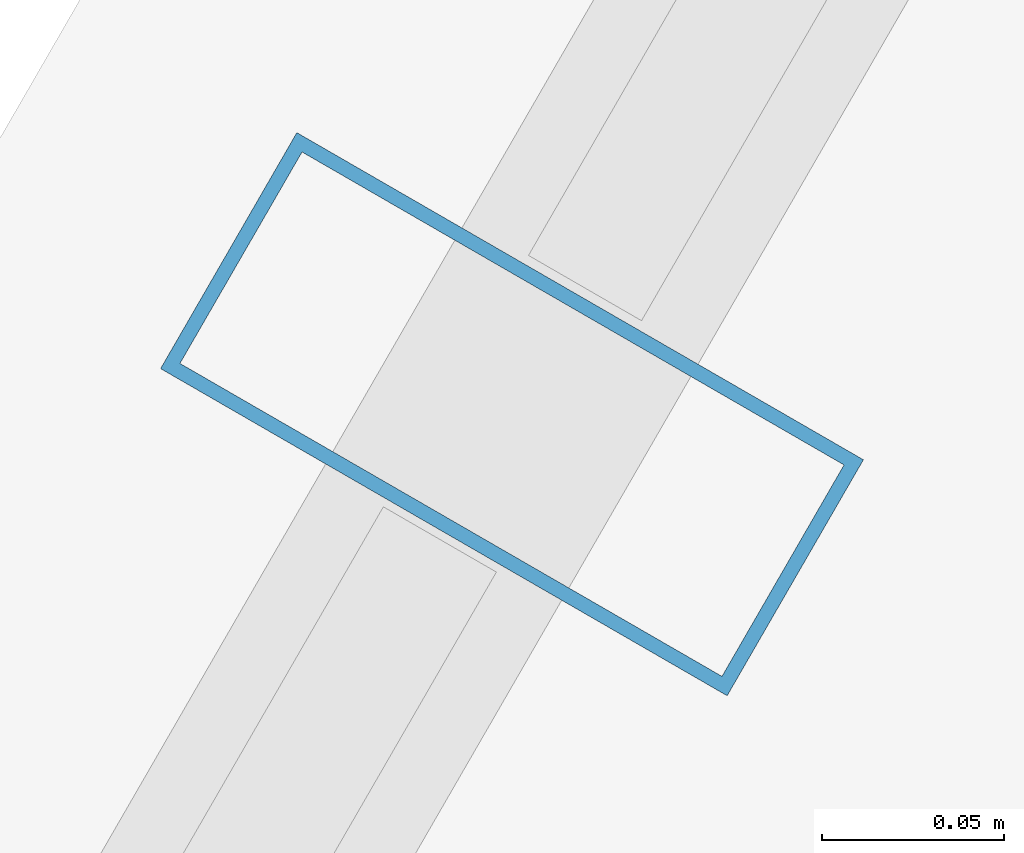
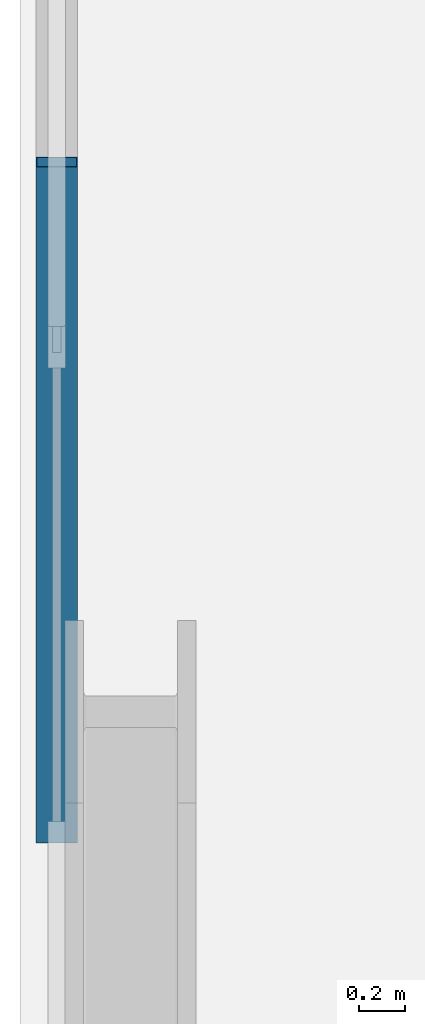
# One storey, part 13 of 32: 1 member, 1 element without a shape of its own.
"""IFC4 building model written with IfcOpenShell, lengths in metres."""

from ifc_helpers import new_model, si_unit, direction, frame, origin, origin_2d, place, context, subcontext, project, spatial, hollow_rectangle, extrude, material, layer, layer_set, material_profile, profile_set, type_object, element, aggregate, save


model = new_model("IFC4")

# Units and contexts
model_context = context("Model", 3, precision=1e-05, world=origin(), true_north=direction((0.0, 1.0)))
body_context = subcontext(model_context, "Body", "Model", "MODEL_VIEW")
ifc_project = project(units=[si_unit("LENGTHUNIT", "METRE"), si_unit("AREAUNIT", "SQUARE_METRE"), si_unit("VOLUMEUNIT", "CUBIC_METRE"), si_unit("PLANEANGLEUNIT", "RADIAN"), si_unit("MASSUNIT", "GRAM", prefix="KILO")], contexts=[model_context])

# Site, building, storey
site_placement = place(None, origin())
site = spatial("IfcSite", under=ifc_project, at=site_placement, CompositionType="ELEMENT")
building_placement = place(site_placement, origin())
building = spatial("IfcBuilding", under=site, at=building_placement, Name="Ndaravel Arena Tower", CompositionType="ELEMENT")
storey_placement = place(building_placement, frame((0.0, 0.0, 62.60009765625)))
storey = spatial("IfcBuildingStorey", under=building, at=storey_placement, Name="L13", CompositionType="ELEMENT", Elevation=62.60009765625)

# Curtain wall, member
ifc_material_1 = material(Name="Aluminium", Category="aluminium")
ifc_layer = layer(ifc_material_1, 0.179931640625)
ifc_layer_set = layer_set([ifc_layer], Name="Aluminium")
curtain_wall_type = type_object("IfcCurtainWallType", Name="CW-SYS-03", PredefinedType="NOTDEFINED", material=ifc_layer_set)
curtain_wall_placement = place(storey_placement, origin())
curtain_wall = element("IfcCurtainWall", 1, at=curtain_wall_placement, inside=storey, type_object=curtain_wall_type, Name="L13 Faceted Crystal Curtain Wall CW-L13-E05", PredefinedType="NOTDEFINED")
ifc_material_2 = material(Name="Aluminium", Category="aluminium")
ifc_material_profile = material_profile(ifc_material_2, hollow_rectangle(XDim=0.074951171875, YDim=0.179931640625, WallThickness=0.00390625, at=origin_2d()), Name="CW MULLION 75x180x4")
ifc_profile_set = profile_set([ifc_material_profile], Name="Aluminium")
member_type = type_object("IfcMemberType", Name="MEM-CW-MUL180", PredefinedType="MULLION", material=ifc_profile_set)
member_placement = place(storey_placement, frame((27.500244140625, 34.16748046875, 0.0), z_axis=(0.0, 0.0, 1.0), x_axis=(-0.5, -0.866025403784, 0.0)))
member = element("IfcMember", 2, at=member_placement, type_object=member_type, Name="CW-L13-E05 Mullion 03", PredefinedType="MULLION", context=body_context, shape_type="SweptSolid", body=[
    extrude(hollow_rectangle(XDim=0.074951171875, YDim=0.179931640625, WallThickness=0.00390625, at=origin_2d()), origin(), (0.0, 0.0, 1.0), 3.579833984375),
])
aggregate(curtain_wall, [member])

save(model, "model.ifc")
